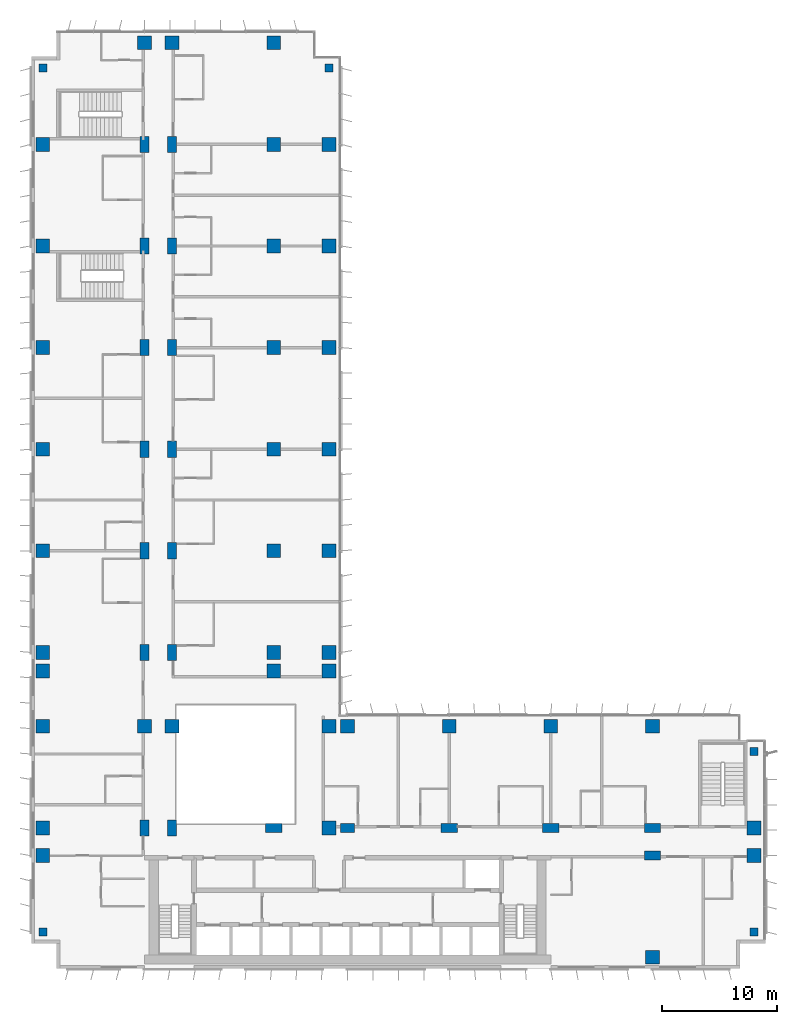
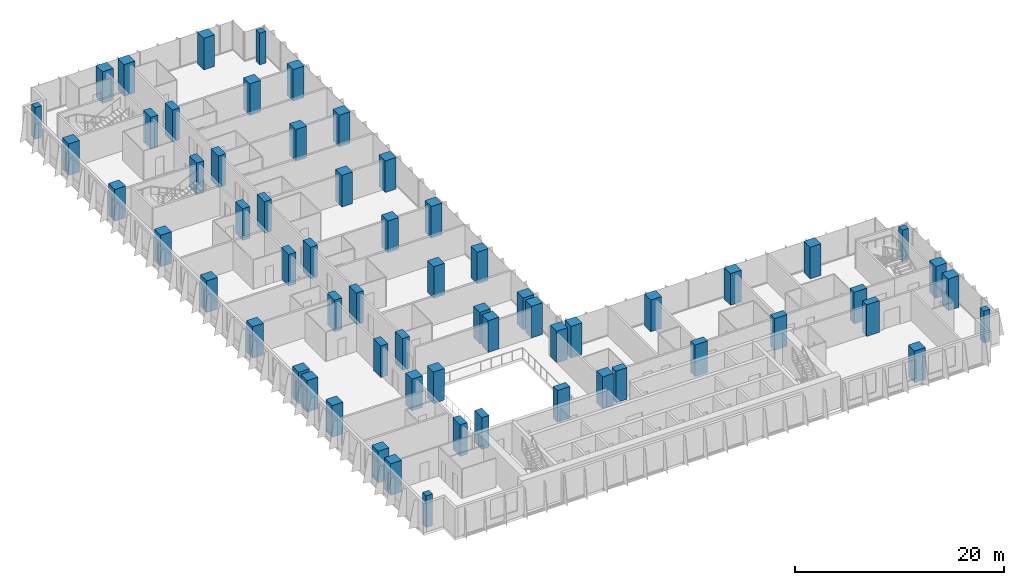
# One storey, part 1 of 22: 63 columns.
"""IFC4 building model written with IfcOpenShell, lengths in metres."""

from ifc_helpers import new_model, si_unit, direction, frame, origin, origin_2d, place, context, subcontext, project, spatial, rectangle, extrude, material, material_profile, profile_set, type_object, element, save


model = new_model("IFC4")

# Units and contexts
model_context = context("Model", 3, precision=1e-05, world=origin(), true_north=direction((0.0, 1.0)))
body_context = subcontext(model_context, "Body", "Model", "MODEL_VIEW")
ifc_project = project(units=[si_unit("LENGTHUNIT", "METRE"), si_unit("AREAUNIT", "SQUARE_METRE"), si_unit("VOLUMEUNIT", "CUBIC_METRE"), si_unit("PLANEANGLEUNIT", "RADIAN"), si_unit("MASSUNIT", "GRAM", prefix="KILO")], contexts=[model_context])

# Site, building, storey
site_placement = place(None, origin())
site = spatial("IfcSite", under=ifc_project, at=site_placement, CompositionType="ELEMENT")
building_placement = place(site_placement, origin())
building = spatial("IfcBuilding", under=site, at=building_placement, Name="Kemantara Hotel Tower", CompositionType="ELEMENT")
storey_placement = place(building_placement, frame((0.0, 0.0, 94.5)))
storey = spatial("IfcBuildingStorey", under=building, at=storey_placement, Name="L22", CompositionType="ELEMENT", Elevation=94.5)

# Columns
ifc_material = material(Name="Concrete fc 70 MPa", Category="concrete")
ifc_material_profile_1 = material_profile(ifc_material, rectangle(XDim=1.199951171875, YDim=1.199951171875, at=origin_2d()), Name="RC 1200X1200")
ifc_profile_set_1 = profile_set([ifc_material_profile_1], Name="Concrete fc 70 MPa")
column_type_1 = type_object("IfcColumnType", Name="RC COLUMN 1200X1200 FC70", PredefinedType="COLUMN", material=ifc_profile_set_1)
for number, where, z_axis, x_axis, name in (
    (1, (1.0, 9.800048828125, 0.0), (0.0, 0.0, 1.0), (1.0, 0.0, 0.0), "COLUMN 1/B L22"),
    (2, (1.0, 12.199951171875, 0.0), (0.0, 0.0, 1.0), (1.0, 0.0, 0.0), "COLUMN 1/BA L22"),
    (3, (1.0, 21.0, 0.0), (0.0, 0.0, 1.0), (1.0, 0.0, 0.0), "COLUMN 1/C L22"),
    (4, (1.0, 25.800048828125, 0.0), (0.0, 0.0, 1.0), (1.0, 0.0, 0.0), "COLUMN 1/CA L22"),
    (5, (1.0, 27.39990234375, 0.0), (0.0, 0.0, 1.0), (1.0, 0.0, 0.0), "COLUMN 1/D L22"),
    (6, (1.0, 36.199951171875, 0.0), (0.0, 0.0, 1.0), (1.0, 0.0, 0.0), "COLUMN 1/E L22"),
    (7, (1.0, 45.0, 0.0), (0.0, 0.0, 1.0), (1.0, 0.0, 0.0), "COLUMN 1/F L22"),
    (8, (1.0, 53.800048828125, 0.0), (0.0, 0.0, 1.0), (1.0, 0.0, 0.0), "COLUMN 1/G L22"),
    (9, (1.0, 62.60009765625, 0.0), (0.0, 0.0, 1.0), (1.0, 0.0, 0.0), "COLUMN 1/H L22"),
    (10, (1.0, 71.39990234375, 0.0), (0.0, 0.0, 1.0), (1.0, 0.0, 0.0), "COLUMN 1/J L22"),
    (11, (9.800048828125, 21.0, 0.0), (0.0, 0.0, 1.0), (1.0, 0.0, 0.0), "COLUMN 2/C L22"),
    (12, (9.800048828125, 80.199951171875, 0.0), (0.0, 0.0, 1.0), (1.0, 0.0, 0.0), "COLUMN 2/K L22"),
    (13, (12.199951171875, 21.0, 0.0), (0.0, 0.0, 1.0), (1.0, 0.0, 0.0), "COLUMN 2A/C L22"),
    (14, (12.199951171875, 80.199951171875, 0.0), (0.0, 0.0, 1.0), (1.0, 0.0, 0.0), "COLUMN 2A/K L22"),
    (15, (21.0, 25.800048828125, 0.0), (0.0, 0.0, 1.0), (1.0, 0.0, 0.0), "COLUMN 3/CA L22"),
    (16, (21.0, 27.39990234375, 0.0), (0.0, 0.0, 1.0), (1.0, 0.0, 0.0), "COLUMN 3/D L22"),
    (17, (21.0, 36.199951171875, 0.0), (0.0, 0.0, 1.0), (1.0, 0.0, 0.0), "COLUMN 3/E L22"),
    (18, (21.0, 45.0, 0.0), (0.0, 0.0, 1.0), (1.0, 0.0, 0.0), "COLUMN 3/F L22"),
    (19, (21.0, 53.800048828125, 0.0), (0.0, 0.0, 1.0), (1.0, 0.0, 0.0), "COLUMN 3/G L22"),
    (20, (21.0, 62.60009765625, 0.0), (0.0, 0.0, 1.0), (1.0, 0.0, 0.0), "COLUMN 3/H L22"),
    (21, (21.0, 71.39990234375, 0.0), (0.0, 0.0, 1.0), (1.0, 0.0, 0.0), "COLUMN 3/J L22"),
    (22, (21.0, 80.199951171875, 0.0), (0.0, 0.0, 1.0), (1.0, 0.0, 0.0), "COLUMN 3/K L22"),
    (23, (25.800048828125, 12.199951171875, 0.0), (0.0, 0.0, 1.0), (1.0, 0.0, 0.0), "COLUMN 3A/BA L22"),
    (24, (25.800048828125, 21.0, 0.0), (0.0, 0.0, 1.0), (1.0, 0.0, 0.0), "COLUMN 3A/C L22"),
    (25, (25.800048828125, 25.800048828125, 0.0), (0.0, 0.0, 1.0), (1.0, 0.0, 0.0), "COLUMN 3A/CA L22"),
    (26, (25.800048828125, 27.39990234375, 0.0), (0.0, 0.0, 1.0), (1.0, 0.0, 0.0), "COLUMN 3A/D L22"),
    (27, (25.800048828125, 36.199951171875, 0.0), (0.0, 0.0, 1.0), (1.0, 0.0, 0.0), "COLUMN 3A/E L22"),
    (28, (25.800048828125, 45.0, 0.0), (0.0, 0.0, 1.0), (1.0, 0.0, 0.0), "COLUMN 3A/F L22"),
    (29, (25.800048828125, 53.800048828125, 0.0), (0.0, 0.0, 1.0), (1.0, 0.0, 0.0), "COLUMN 3A/G L22"),
    (30, (25.800048828125, 62.60009765625, 0.0), (0.0, 0.0, 1.0), (1.0, 0.0, 0.0), "COLUMN 3A/H L22"),
    (31, (25.800048828125, 71.39990234375, 0.0), (0.0, 0.0, 1.0), (1.0, 0.0, 0.0), "COLUMN 3A/J L22"),
    (32, (27.39990234375, 21.0, 0.0), (0.0, 0.0, 1.0), (1.0, 0.0, 0.0), "COLUMN 4/C L22"),
    (33, (36.199951171875, 21.0, 0.0), (0.0, 0.0, 1.0), (1.0, 0.0, 0.0), "COLUMN 5/C L22"),
    (34, (45.0, 21.0, 0.0), (0.0, 0.0, 1.0), (1.0, 0.0, 0.0), "COLUMN 6/C L22"),
    (35, (53.800048828125, 1.0, 0.0), (0.0, 0.0, 1.0), (1.0, 0.0, 0.0), "COLUMN 7/A L22"),
    (36, (53.800048828125, 21.0, 0.0), (0.0, 0.0, 1.0), (1.0, 0.0, 0.0), "COLUMN 7/C L22"),
    (37, (62.60009765625, 9.800048828125, 0.0), (0.0, 0.0, 1.0), (1.0, 0.0, 0.0), "COLUMN 8/B L22"),
    (38, (62.60009765625, 12.199951171875, 0.0), (0.0, 0.0, 1.0), (1.0, 0.0, 0.0), "COLUMN 8/BA L22"),
):
    element("IfcColumn", number, at=place(storey_placement, frame(where, z_axis=z_axis, x_axis=x_axis)), inside=storey, type_object=column_type_1, Name=name, PredefinedType="COLUMN", context=body_context, shape_type="SweptSolid", body=[
        extrude(rectangle(XDim=1.199951171875, YDim=1.199951171875, at=origin_2d()), origin(), (0.0, 0.0, 1.0), 3.699951171875),
    ])
ifc_material_profile_2 = material_profile(ifc_material, rectangle(XDim=1.199951171875, YDim=0.800048828125, at=origin_2d()), Name="RC 1200X800")
ifc_profile_set_2 = profile_set([ifc_material_profile_2], Name="Concrete fc 70 MPa")
column_type_2 = type_object("IfcColumnType", Name="RC COLUMN 1200X800 FC70", PredefinedType="COLUMN", material=ifc_profile_set_2)
column_placement = place(storey_placement, frame((27.39990234375, 12.199951171875, 0.0), z_axis=(0.0, 0.0, 1.0), x_axis=(1.0, 0.0, 0.0)))
element("IfcColumn", 39, at=column_placement, inside=storey, type_object=column_type_2, Name="COLUMN 4/BA L22", PredefinedType="COLUMN", context=body_context, shape_type="SweptSolid", body=[
    extrude(rectangle(XDim=1.199951171875, YDim=0.800048828125, at=origin_2d()), origin(), (0.0, 0.0, 1.0), 3.699951171875),
])
ifc_material_profile_3 = material_profile(ifc_material, rectangle(XDim=1.39990234375, YDim=0.800048828125, at=origin_2d()), Name="RC 1400X800")
ifc_profile_set_3 = profile_set([ifc_material_profile_3], Name="Concrete fc 70 MPa")
column_type_3 = type_object("IfcColumnType", Name="RC COLUMN 1400X800 FC70", PredefinedType="COLUMN", material=ifc_profile_set_3)
for number, where, z_axis, x_axis, name in (
    (40, (9.800048828125, 12.199951171875, 0.0), (0.0, 0.0, 1.0), (0.0, 1.0, 0.0), "COLUMN 2/BA L22"),
    (41, (9.800048828125, 27.39990234375, 0.0), (0.0, 0.0, 1.0), (0.0, 1.0, 0.0), "COLUMN 2/D L22"),
    (42, (9.800048828125, 36.199951171875, 0.0), (0.0, 0.0, 1.0), (0.0, 1.0, 0.0), "COLUMN 2/E L22"),
    (43, (9.800048828125, 45.0, 0.0), (0.0, 0.0, 1.0), (0.0, 1.0, 0.0), "COLUMN 2/F L22"),
    (44, (9.800048828125, 53.800048828125, 0.0), (0.0, 0.0, 1.0), (0.0, 1.0, 0.0), "COLUMN 2/G L22"),
    (45, (9.800048828125, 62.60009765625, 0.0), (0.0, 0.0, 1.0), (0.0, 1.0, 0.0), "COLUMN 2/H L22"),
    (46, (9.800048828125, 71.39990234375, 0.0), (0.0, 0.0, 1.0), (0.0, 1.0, 0.0), "COLUMN 2/J L22"),
    (47, (12.199951171875, 12.199951171875, 0.0), (0.0, 0.0, 1.0), (0.0, 1.0, 0.0), "COLUMN 2A/BA L22"),
    (48, (12.199951171875, 27.39990234375, 0.0), (0.0, 0.0, 1.0), (0.0, 1.0, 0.0), "COLUMN 2A/D L22"),
    (49, (12.199951171875, 36.199951171875, 0.0), (0.0, 0.0, 1.0), (0.0, 1.0, 0.0), "COLUMN 2A/E L22"),
    (50, (12.199951171875, 45.0, 0.0), (0.0, 0.0, 1.0), (0.0, 1.0, 0.0), "COLUMN 2A/F L22"),
    (51, (12.199951171875, 53.800048828125, 0.0), (0.0, 0.0, 1.0), (0.0, 1.0, 0.0), "COLUMN 2A/G L22"),
    (52, (12.199951171875, 62.60009765625, 0.0), (0.0, 0.0, 1.0), (0.0, 1.0, 0.0), "COLUMN 2A/H L22"),
    (53, (12.199951171875, 71.39990234375, 0.0), (0.0, 0.0, 1.0), (0.0, 1.0, 0.0), "COLUMN 2A/J L22"),
    (54, (21.0, 12.199951171875, 0.0), (0.0, 0.0, 1.0), (1.0, 0.0, 0.0), "COLUMN 3/BA L22"),
    (55, (36.199951171875, 12.199951171875, 0.0), (0.0, 0.0, 1.0), (1.0, 0.0, 0.0), "COLUMN 5/BA L22"),
    (56, (45.0, 12.199951171875, 0.0), (0.0, 0.0, 1.0), (1.0, 0.0, 0.0), "COLUMN 6/BA L22"),
    (57, (53.800048828125, 9.800048828125, 0.0), (0.0, 0.0, 1.0), (1.0, 0.0, 0.0), "COLUMN 7/B L22"),
    (58, (53.800048828125, 12.199951171875, 0.0), (0.0, 0.0, 1.0), (1.0, 0.0, 0.0), "COLUMN 7/BA L22"),
):
    element("IfcColumn", number, at=place(storey_placement, frame(where, z_axis=z_axis, x_axis=x_axis)), inside=storey, type_object=column_type_3, Name=name, PredefinedType="COLUMN", context=body_context, shape_type="SweptSolid", body=[
        extrude(rectangle(XDim=1.39990234375, YDim=0.800048828125, at=origin_2d()), origin(), (0.0, 0.0, 1.0), 3.699951171875),
    ])
ifc_material_profile_4 = material_profile(ifc_material, rectangle(XDim=0.699951171875, YDim=0.699951171875, at=origin_2d()), Name="RC 700X700")
ifc_profile_set_4 = profile_set([ifc_material_profile_4], Name="Concrete fc 70 MPa")
column_type_4 = type_object("IfcColumnType", Name="RC COLUMN 700X700 FC70", PredefinedType="COLUMN", material=ifc_profile_set_4)
for number, where, z_axis, x_axis, name in (
    (59, (1.0, 3.199951171875, 0.0), (0.0, 0.0, 1.0), (1.0, 0.0, 0.0), "COLUMN notch corner L22"),
    (60, (1.0, 78.0, 0.0), (0.0, 0.0, 1.0), (1.0, 0.0, 0.0), "COLUMN notch corner L22"),
    (61, (25.800048828125, 78.0, 0.0), (0.0, 0.0, 1.0), (1.0, 0.0, 0.0), "COLUMN notch corner L22"),
    (62, (62.60009765625, 3.199951171875, 0.0), (0.0, 0.0, 1.0), (1.0, 0.0, 0.0), "COLUMN notch corner L22"),
    (63, (62.60009765625, 18.800048828125, 0.0), (0.0, 0.0, 1.0), (1.0, 0.0, 0.0), "COLUMN notch corner L22"),
):
    element("IfcColumn", number, at=place(storey_placement, frame(where, z_axis=z_axis, x_axis=x_axis)), inside=storey, type_object=column_type_4, Name=name, PredefinedType="COLUMN", context=body_context, shape_type="SweptSolid", body=[
        extrude(rectangle(XDim=0.699951171875, YDim=0.699951171875, at=origin_2d()), origin(), (0.0, 0.0, 1.0), 3.699951171875),
    ])

save(model, "model.ifc")
